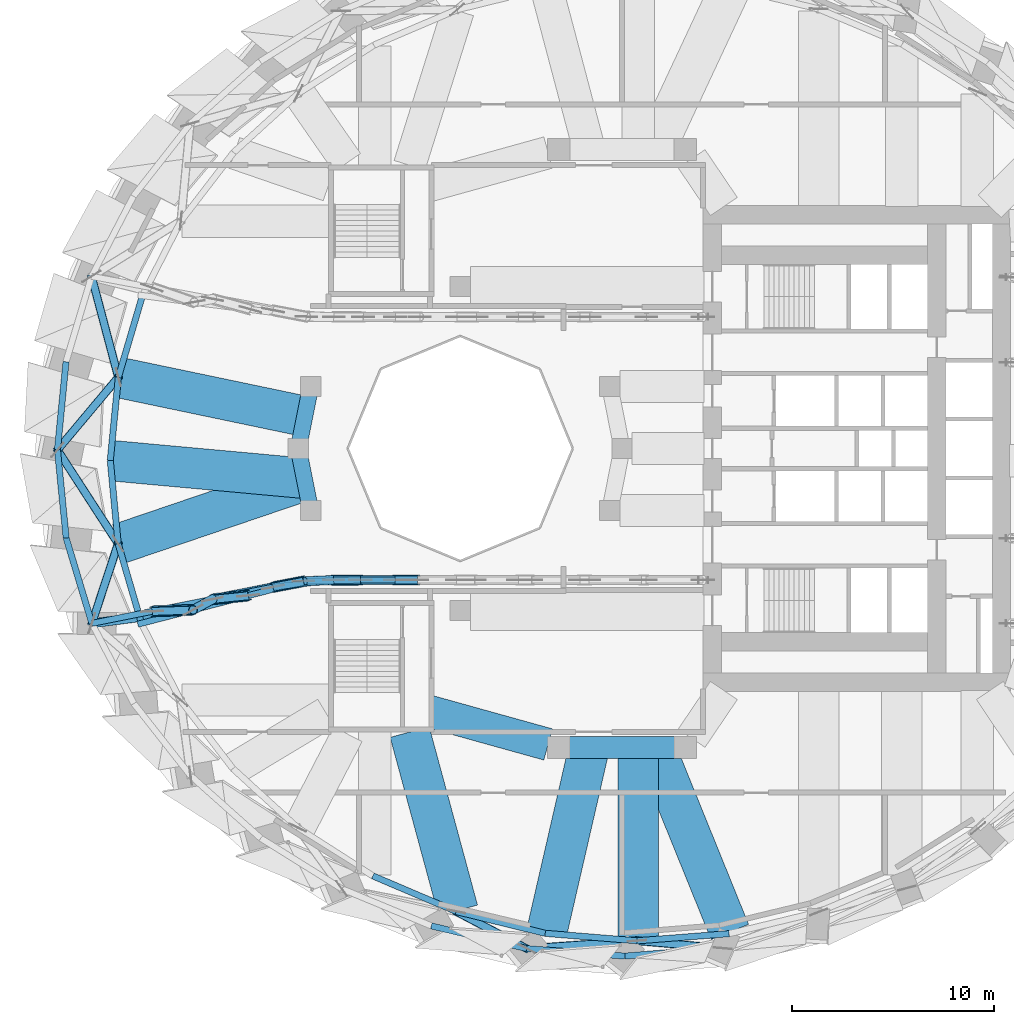
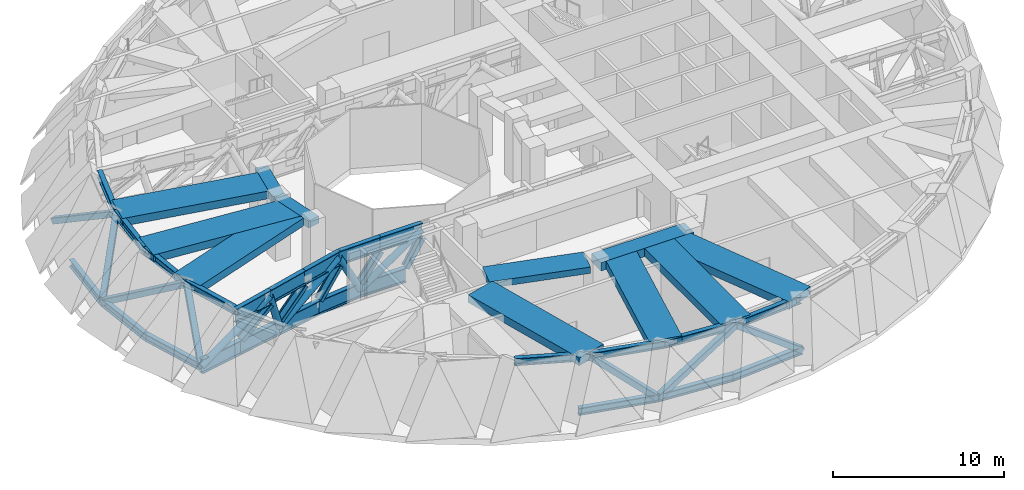
# One storey, part 2 of 15: 41 members, 11 beams.
"""IFC4 building model written with IfcOpenShell, lengths in metres."""

from ifc_helpers import new_model, si_unit, direction, frame, origin, origin_2d, place, context, subcontext, project, spatial, rectangle, hollow_rectangle, hollow_circle, i_section, extrude, material, material_profile, profile_set, type_object, element, save


model = new_model("IFC4")

# Units and contexts
model_context = context("Model", 3, precision=1e-05, world=origin(), true_north=direction((0.0, 1.0)))
body_context = subcontext(model_context, "Body", "Model", "MODEL_VIEW")
ifc_project = project(units=[si_unit("LENGTHUNIT", "METRE"), si_unit("AREAUNIT", "SQUARE_METRE"), si_unit("VOLUMEUNIT", "CUBIC_METRE"), si_unit("PLANEANGLEUNIT", "RADIAN"), si_unit("MASSUNIT", "GRAM", prefix="KILO")], contexts=[model_context])

# Site, building, storey
site_placement = place(None, origin())
site = spatial("IfcSite", under=ifc_project, at=site_placement, CompositionType="ELEMENT")
building_placement = place(site_placement, origin())
building = spatial("IfcBuilding", under=site, at=building_placement, Name="Taillehof Tower", CompositionType="ELEMENT")
storey_placement = place(building_placement, frame((0.0, 0.0, 84.39990234375)))
storey = spatial("IfcBuildingStorey", under=building, at=storey_placement, Name="L23", CompositionType="ELEMENT", Elevation=84.39990234375)

# Beams
ifc_material_1 = material(Name="Concrete C50/60", Category="concrete")
ifc_material_profile_1 = material_profile(ifc_material_1, rectangle(XDim=0.800048828125, YDim=0.5, at=origin_2d()), Name="RC 800x500")
ifc_profile_set_1 = profile_set([ifc_material_profile_1], Name="Concrete C50/60")
beam_type_1 = type_object("IfcBeamType", Name="Atrium ring beam C50/60 800x500", PredefinedType="BEAM", material=ifc_profile_set_1)
for number, where, z_axis, x_axis, name in (
    (1, (-15.39111328125, 3.0615234375, 3.97021484375), (-0.195063155143, -0.980790683839, 0.0), (0.980790683839, -0.195063155143, 0.0), "Atrium ring beam AB04"),
    (2, (-16.0, 0.0, 3.97021484375), (0.195063155143, -0.980790683839, 0.0), (0.980790683839, 0.195063155143, 0.0), "Atrium ring beam AB05"),
):
    element("IfcBeam", number, at=place(storey_placement, frame(where, z_axis=z_axis, x_axis=x_axis)), inside=storey, type_object=beam_type_1, Name=name, PredefinedType="BEAM", context=body_context, shape_type="SweptSolid", body=[
        extrude(rectangle(XDim=0.800048828125, YDim=0.5, at=origin_2d()), origin(), (0.0, 0.0, 1.0), 3.12158203125),
    ])

# Members
ifc_material_2 = material(Name="Steel S460M", Category="steel")
ifc_material_profile_2 = material_profile(ifc_material_2, i_section(OverallWidth=0.305908203125, OverallDepth=0.52392578125, WebThickness=0.02099609375, FlangeThickness=0.0400390625, FilletRadius=0.027099609375, at=origin_2d()), Name="HEM 500")
ifc_profile_set_2 = profile_set([ifc_material_profile_2], Name="Steel S460M")
member_type_1 = type_object("IfcMemberType", Name="Belt truss chord HEM 500", PredefinedType="CHORD", material=ifc_profile_set_2)
member_1_placement = place(storey_placement, frame((-23.717041015625, 7.50390625, 3.9580078125), z_axis=(-0.283005950642, -0.959118153254, 0.0), x_axis=(0.959118153254, -0.283005950642, 0.0)))
element("IfcMember", 3, at=member_1_placement, inside=storey, type_object=member_type_1, Name="Belt truss top chord BT17", PredefinedType="CHORD", context=body_context, shape_type="SweptSolid", body=[
    extrude(i_section(OverallWidth=0.305908203125, OverallDepth=0.52392578125, WebThickness=0.02099609375, FlangeThickness=0.0400390625, FilletRadius=0.027099609375, at=origin_2d()), origin(), (0.0, 0.0, 1.0), 4.155517578125),
])
member_2_placement = place(storey_placement, frame((-27.479248046875, 4.283447265625, 0.900146484375), z_axis=(-0.096684560155, -0.995315073646, 0.0), x_axis=(0.995315073646, -0.096684560155, 0.0)))
element("IfcMember", 4, at=member_2_placement, inside=storey, type_object=member_type_1, Name="Belt truss bottom chord BB18", PredefinedType="CHORD", context=body_context, shape_type="SweptSolid", body=[
    extrude(i_section(OverallWidth=0.305908203125, OverallDepth=0.52392578125, WebThickness=0.02099609375, FlangeThickness=0.0400390625, FilletRadius=0.027099609375, at=origin_2d()), origin(), (0.0, 0.0, 1.0), 4.37353515625),
])
member_3_placement = place(storey_placement, frame((-24.89306640625, 3.518310546875, 3.9580078125), z_axis=(-0.096669981035, -0.995316489749, 0.0), x_axis=(0.995316489749, -0.096669981035, 0.0)))
element("IfcMember", 5, at=member_3_placement, inside=storey, type_object=member_type_1, Name="Belt truss top chord BT18", PredefinedType="CHORD", context=body_context, shape_type="SweptSolid", body=[
    extrude(i_section(OverallWidth=0.305908203125, OverallDepth=0.52392578125, WebThickness=0.02099609375, FlangeThickness=0.0400390625, FilletRadius=0.027099609375, at=origin_2d()), origin(), (0.0, 0.0, 1.0), 4.129150390625),
])
member_4_placement = place(storey_placement, frame((-27.902099609375, -0.069580078125, 0.900146484375), z_axis=(0.098453720491, -0.995141630584, 0.0), x_axis=(0.995141630584, 0.098453720491, 0.0)))
element("IfcMember", 6, at=member_4_placement, inside=storey, type_object=member_type_1, Name="Belt truss bottom chord BB19", PredefinedType="CHORD", context=body_context, shape_type="SweptSolid", body=[
    extrude(i_section(OverallWidth=0.305908203125, OverallDepth=0.52392578125, WebThickness=0.02099609375, FlangeThickness=0.0400390625, FilletRadius=0.027099609375, at=origin_2d()), origin(), (0.0, 0.0, 1.0), 4.374267578125),
])
member_5_placement = place(storey_placement, frame((-25.292236328125, -0.591552734375, 3.9580078125), z_axis=(0.094326270249, -0.995541337535, 0.0), x_axis=(0.995541337535, 0.094326270249, 0.0)))
element("IfcMember", 7, at=member_5_placement, inside=storey, type_object=member_type_1, Name="Belt truss top chord BT19", PredefinedType="CHORD", context=body_context, shape_type="SweptSolid", body=[
    extrude(i_section(OverallWidth=0.305908203125, OverallDepth=0.52392578125, WebThickness=0.02099609375, FlangeThickness=0.0400390625, FilletRadius=0.027099609375, at=origin_2d()), origin(), (0.0, 0.0, 1.0), 4.128173828125),
])
member_6_placement = place(storey_placement, frame((-27.471435546875, -4.422607421875, 0.900146484375), z_axis=(0.288404857215, -0.957508557839, 0.0), x_axis=(0.957508557839, 0.288404857215, 0.0)))
element("IfcMember", 8, at=member_6_placement, inside=storey, type_object=member_type_1, Name="Belt truss bottom chord BB20", PredefinedType="CHORD", context=body_context, shape_type="SweptSolid", body=[
    extrude(i_section(OverallWidth=0.305908203125, OverallDepth=0.52392578125, WebThickness=0.02099609375, FlangeThickness=0.0400390625, FilletRadius=0.027099609375, at=origin_2d()), origin(), (0.0, 0.0, 1.0), 4.406982421875),
])
member_7_placement = place(storey_placement, frame((-24.90283203125, -4.701416015625, 3.9580078125), z_axis=(0.280794428309, -0.959767934988, 0.0), x_axis=(0.959767934988, 0.280794428309, 0.0)))
element("IfcMember", 9, at=member_7_placement, inside=storey, type_object=member_type_1, Name="Belt truss top chord BT20", PredefinedType="CHORD", context=body_context, shape_type="SweptSolid", body=[
    extrude(i_section(OverallWidth=0.305908203125, OverallDepth=0.52392578125, WebThickness=0.02099609375, FlangeThickness=0.0400390625, FilletRadius=0.027099609375, at=origin_2d()), origin(), (0.0, 0.0, 1.0), 4.1533203125),
])
member_8_placement = place(storey_placement, frame((-12.3173828125, -21.11962890625, 3.9580078125), z_axis=(0.919756116518, -0.392490364375, 0.0), x_axis=(0.392490364375, 0.919756116518, 0.0)))
element("IfcMember", 10, at=member_8_placement, inside=storey, type_object=member_type_1, Name="Belt truss top chord BT25", PredefinedType="CHORD", context=body_context, shape_type="SweptSolid", body=[
    extrude(i_section(OverallWidth=0.305908203125, OverallDepth=0.52392578125, WebThickness=0.02099609375, FlangeThickness=0.0400390625, FilletRadius=0.027099609375, at=origin_2d()), origin(), (0.0, 0.0, 1.0), 4.47607421875),
])
member_9_placement = place(storey_placement, frame((-9.427734375, -23.5908203125, 0.900146484375), z_axis=(0.972844076285, -0.231461450868, 0.0), x_axis=(0.231461450868, 0.972844076285, 0.0)))
element("IfcMember", 11, at=member_9_placement, inside=storey, type_object=member_type_1, Name="Belt truss bottom chord BB26", PredefinedType="CHORD", context=body_context, shape_type="SweptSolid", body=[
    extrude(i_section(OverallWidth=0.305908203125, OverallDepth=0.52392578125, WebThickness=0.02099609375, FlangeThickness=0.0400390625, FilletRadius=0.027099609375, at=origin_2d()), origin(), (0.0, 0.0, 1.0), 4.841552734375),
])
member_10_placement = place(storey_placement, frame((-8.200439453125, -22.87646484375, 3.9580078125), z_axis=(0.97106800288, -0.238803127666, 0.0), x_axis=(0.238803127666, 0.97106800288, 0.0)))
element("IfcMember", 12, at=member_10_placement, inside=storey, type_object=member_type_1, Name="Belt truss top chord BT26", PredefinedType="CHORD", context=body_context, shape_type="SweptSolid", body=[
    extrude(i_section(OverallWidth=0.305908203125, OverallDepth=0.52392578125, WebThickness=0.02099609375, FlangeThickness=0.0400390625, FilletRadius=0.027099609375, at=origin_2d()), origin(), (0.0, 0.0, 1.0), 4.52685546875),
])
member_11_placement = place(storey_placement, frame((-4.7177734375, -24.71142578125, 0.900146484375), z_axis=(0.997071287324, -0.076477761431, 0.0), x_axis=(0.076477761431, 0.997071287324, 0.0)))
element("IfcMember", 13, at=member_11_placement, inside=storey, type_object=member_type_1, Name="Belt truss bottom chord BB27", PredefinedType="CHORD", context=body_context, shape_type="SweptSolid", body=[
    extrude(i_section(OverallWidth=0.305908203125, OverallDepth=0.52392578125, WebThickness=0.02099609375, FlangeThickness=0.0400390625, FilletRadius=0.027099609375, at=origin_2d()), origin(), (0.0, 0.0, 1.0), 4.864990234375),
])
member_12_placement = place(storey_placement, frame((-3.804443359375, -23.95751953125, 3.9580078125), z_axis=(0.996687629636, -0.081325081799, 0.0), x_axis=(0.081325081799, 0.996687629636, 0.0)))
element("IfcMember", 14, at=member_12_placement, inside=storey, type_object=member_type_1, Name="Belt truss top chord BT27", PredefinedType="CHORD", context=body_context, shape_type="SweptSolid", body=[
    extrude(i_section(OverallWidth=0.305908203125, OverallDepth=0.52392578125, WebThickness=0.02099609375, FlangeThickness=0.0400390625, FilletRadius=0.027099609375, at=origin_2d()), origin(), (0.0, 0.0, 1.0), 4.55712890625),
])
member_13_placement = place(storey_placement, frame((0.133056640625, -25.08349609375, 0.900146484375), z_axis=(0.996845236508, 0.079369858581, 0.0), x_axis=(-0.079369858581, 0.996845236508, 0.0)))
element("IfcMember", 15, at=member_13_placement, inside=storey, type_object=member_type_1, Name="Belt truss bottom chord BB28", PredefinedType="CHORD", context=body_context, shape_type="SweptSolid", body=[
    extrude(i_section(OverallWidth=0.305908203125, OverallDepth=0.52392578125, WebThickness=0.02099609375, FlangeThickness=0.0400390625, FilletRadius=0.027099609375, at=origin_2d()), origin(), (0.0, 0.0, 1.0), 4.860107421875),
])
member_14_placement = place(storey_placement, frame((0.737548828125, -24.328125, 3.9580078125), z_axis=(0.996995347003, 0.077461461741, 0.0), x_axis=(-0.077461461741, 0.996995347003, 0.0)))
element("IfcMember", 16, at=member_14_placement, inside=storey, type_object=member_type_1, Name="Belt truss top chord BT28", PredefinedType="CHORD", context=body_context, shape_type="SweptSolid", body=[
    extrude(i_section(OverallWidth=0.305908203125, OverallDepth=0.52392578125, WebThickness=0.02099609375, FlangeThickness=0.0400390625, FilletRadius=0.027099609375, at=origin_2d()), origin(), (0.0, 0.0, 1.0), 4.563720703125),
])
ifc_material_3 = material(Name="Steel S460M", Category="steel")
ifc_material_profile_3 = material_profile(ifc_material_3, hollow_rectangle(XDim=0.39990234375, YDim=0.39990234375, WallThickness=0.02001953125, InnerFilletRadius=0.02001953125, OuterFilletRadius=0.030029296875, at=origin_2d()), Name="RHS 400x400x20")
ifc_profile_set_3 = profile_set([ifc_material_profile_3], Name="Steel S460M")
member_type_2 = type_object("IfcMemberType", Name="Belt truss diagonal RHS 400x400x20", PredefinedType="BRACE", material=ifc_profile_set_3)
member_15_placement = place(storey_placement, frame((-26.2158203125, 8.503662109375, 0.900146484375), z_axis=(0.220600201448, -0.831424162709, 0.509970011652), x_axis=(0.966556290161, 0.256454553383, 0.0)))
element("IfcMember", 17, at=member_15_placement, inside=storey, type_object=member_type_2, Name="Belt truss diagonal BX17", PredefinedType="BRACE", context=body_context, shape_type="SweptSolid", body=[
    extrude(hollow_rectangle(XDim=0.39990234375, YDim=0.39990234375, WallThickness=0.02001953125, InnerFilletRadius=0.02001953125, OuterFilletRadius=0.030029296875, at=origin_2d()), origin(), (0.0, 0.0, 1.0), 5.99609375),
])
member_16_placement = place(storey_placement, frame((-24.89306640625, 3.518310546875, 3.9580078125), z_axis=(-0.538033338913, -0.641536547559, -0.546764103033), x_axis=(0.766208932543, -0.642591527871, 0.0)))
element("IfcMember", 18, at=member_16_placement, inside=storey, type_object=member_type_2, Name="Belt truss diagonal BX18", PredefinedType="BRACE", context=body_context, shape_type="SweptSolid", body=[
    extrude(hollow_rectangle(XDim=0.39990234375, YDim=0.39990234375, WallThickness=0.02001953125, InnerFilletRadius=0.02001953125, OuterFilletRadius=0.030029296875, at=origin_2d()), origin(), (0.0, 0.0, 1.0), 5.5927734375),
])
member_17_placement = place(storey_placement, frame((-27.902099609375, -0.069580078125, 0.900146484375), z_axis=(0.475415716399, -0.734195113678, 0.484703447123), x_axis=(0.839388495888, 0.543531924519, 0.0)))
element("IfcMember", 19, at=member_17_placement, inside=storey, type_object=member_type_2, Name="Belt truss diagonal BX19", PredefinedType="BRACE", context=body_context, shape_type="SweptSolid", body=[
    extrude(hollow_rectangle(XDim=0.39990234375, YDim=0.39990234375, WallThickness=0.02001953125, InnerFilletRadius=0.02001953125, OuterFilletRadius=0.030029296875, at=origin_2d()), origin(), (0.0, 0.0, 1.0), 6.308837890625),
])
member_18_placement = place(storey_placement, frame((-24.90283203125, -4.701416015625, 3.9580078125), z_axis=(-0.251760332985, -0.764612473198, -0.593282816677), x_axis=(0.949836121957, -0.312748047838, 0.0)))
element("IfcMember", 20, at=member_18_placement, inside=storey, type_object=member_type_2, Name="Belt truss diagonal BX20", PredefinedType="BRACE", context=body_context, shape_type="SweptSolid", body=[
    extrude(hollow_rectangle(XDim=0.39990234375, YDim=0.39990234375, WallThickness=0.02001953125, InnerFilletRadius=0.02001953125, OuterFilletRadius=0.030029296875, at=origin_2d()), origin(), (0.0, 0.0, 1.0), 5.154052734375),
])
member_19_placement = place(storey_placement, frame((-8.200439453125, -22.87646484375, 3.9580078125), z_axis=(0.698680612558, -0.368123623132, -0.613457740784), x_axis=(0.466140030198, 0.884710954068, 0.0)))
element("IfcMember", 21, at=member_19_placement, inside=storey, type_object=member_type_2, Name="Belt truss diagonal BX26", PredefinedType="BRACE", context=body_context, shape_type="SweptSolid", body=[
    extrude(hollow_rectangle(XDim=0.39990234375, YDim=0.39990234375, WallThickness=0.02001953125, InnerFilletRadius=0.02001953125, OuterFilletRadius=0.030029296875, at=origin_2d()), origin(), (0.0, 0.0, 1.0), 4.984619140625),
])
member_20_placement = place(storey_placement, frame((-4.7177734375, -24.71142578125, 0.900146484375), z_axis=(0.87067576497, 0.061175249541, 0.488038216883), x_axis=(-0.07008901158, 0.997540741251, 0.0)))
element("IfcMember", 22, at=member_20_placement, inside=storey, type_object=member_type_2, Name="Belt truss diagonal BX27", PredefinedType="BRACE", context=body_context, shape_type="SweptSolid", body=[
    extrude(hollow_rectangle(XDim=0.39990234375, YDim=0.39990234375, WallThickness=0.02001953125, InnerFilletRadius=0.02001953125, OuterFilletRadius=0.030029296875, at=origin_2d()), origin(), (0.0, 0.0, 1.0), 6.265625),
])
member_21_placement = place(storey_placement, frame((0.737548828125, -24.328125, 3.9580078125), z_axis=(0.809070546418, -0.070528144132, -0.583464336359), x_axis=(0.086842479956, 0.996222055405, 0.0)))
element("IfcMember", 23, at=member_21_placement, inside=storey, type_object=member_type_2, Name="Belt truss diagonal BX28", PredefinedType="BRACE", context=body_context, shape_type="SweptSolid", body=[
    extrude(hollow_rectangle(XDim=0.39990234375, YDim=0.39990234375, WallThickness=0.02001953125, InnerFilletRadius=0.02001953125, OuterFilletRadius=0.030029296875, at=origin_2d()), origin(), (0.0, 0.0, 1.0), 5.240966796875),
])

# Beam
ifc_material_4 = material(Name="Concrete C50/60", Category="concrete")
ifc_material_profile_4 = material_profile(ifc_material_4, rectangle(XDim=1.10009765625, YDim=0.60009765625, at=origin_2d()), Name="RC 1100x600")
ifc_profile_set_4 = profile_set([ifc_material_profile_4], Name="Concrete C50/60")
beam_type_2 = type_object("IfcBeamType", Name="Mid-ring beam C50/60 1100x600", PredefinedType="BEAM", material=ifc_profile_set_4)
beam_1_placement = place(storey_placement, frame((-3.125732421875, -14.772216796875, 3.920166015625), z_axis=(1.0, 0.0, 0.0), x_axis=(0.0, 1.0, 0.0)))
element("IfcBeam", 24, at=beam_1_placement, inside=storey, type_object=beam_type_2, Name="Mid-ring beam MB02", PredefinedType="BEAM", context=body_context, shape_type="SweptSolid", body=[
    extrude(rectangle(XDim=1.10009765625, YDim=0.60009765625, at=origin_2d()), origin(), (0.0, 0.0, 1.0), 6.25146484375),
])

# Members
ifc_material_5 = material(Name="Steel S460M", Category="steel")
ifc_material_profile_5 = material_profile(ifc_material_5, i_section(OverallWidth=0.302001953125, OverallDepth=1.008056640625, WebThickness=0.02099609375, FlangeThickness=0.0400390625, FilletRadius=0.030029296875, at=origin_2d()), Name="HEM 1000")
ifc_profile_set_5 = profile_set([ifc_material_profile_5], Name="Steel S460M")
member_type_3 = type_object("IfcMemberType", Name="Outrigger chord HEM 1000", PredefinedType="CHORD", material=ifc_profile_set_5)
member_22_placement = place(storey_placement, frame((-11.206298828125, -6.5, 0.900146484375), z_axis=(-1.0, 0.0, 0.0), x_axis=(0.0, -1.0, 0.0)))
element("IfcMember", 25, at=member_22_placement, inside=storey, type_object=member_type_3, Name="Outrigger OT6 bottom chord 06", PredefinedType="CHORD", context=body_context, shape_type="SweptSolid", body=[
    extrude(i_section(OverallWidth=0.302001953125, OverallDepth=1.008056640625, WebThickness=0.02099609375, FlangeThickness=0.0400390625, FilletRadius=0.030029296875, at=origin_2d()), origin(), (0.0, 0.0, 1.0), 3.041259765625),
])
member_23_placement = place(storey_placement, frame((-10.10498046875, -6.5, 3.716064453125), z_axis=(-1.0, 0.0, 0.0), x_axis=(0.0, -1.0, 0.0)))
element("IfcMember", 26, at=member_23_placement, inside=storey, type_object=member_type_3, Name="Outrigger OT6 top chord 06", PredefinedType="CHORD", context=body_context, shape_type="SweptSolid", body=[
    extrude(i_section(OverallWidth=0.302001953125, OverallDepth=1.008056640625, WebThickness=0.02099609375, FlangeThickness=0.0400390625, FilletRadius=0.030029296875, at=origin_2d()), origin(), (0.0, 0.0, 1.0), 2.82080078125),
])
member_24_placement = place(storey_placement, frame((-14.24755859375, -6.5, 0.900146484375), z_axis=(-0.993251530039, -0.11598016242, 0.0), x_axis=(0.11598016242, -0.993251530039, 0.0)))
element("IfcMember", 27, at=member_24_placement, inside=storey, type_object=member_type_3, Name="Outrigger OT6 bottom chord 07", PredefinedType="CHORD", context=body_context, shape_type="SweptSolid", body=[
    extrude(i_section(OverallWidth=0.302001953125, OverallDepth=1.008056640625, WebThickness=0.02099609375, FlangeThickness=0.0400390625, FilletRadius=0.030029296875, at=origin_2d()), origin(), (0.0, 0.0, 1.0), 3.027099609375),
])
member_25_placement = place(storey_placement, frame((-12.92578125, -6.5, 3.716064453125), z_axis=(-0.999757144421, -0.022037517546, 0.0), x_axis=(0.022037517546, -0.999757144421, 0.0)))
element("IfcMember", 28, at=member_25_placement, inside=storey, type_object=member_type_3, Name="Outrigger OT6 top chord 07", PredefinedType="CHORD", context=body_context, shape_type="SweptSolid", body=[
    extrude(i_section(OverallWidth=0.302001953125, OverallDepth=1.008056640625, WebThickness=0.02099609375, FlangeThickness=0.0400390625, FilletRadius=0.030029296875, at=origin_2d()), origin(), (0.0, 0.0, 1.0), 2.81396484375),
])
member_26_placement = place(storey_placement, frame((-17.254150390625, -6.85107421875, 0.900146484375), z_axis=(-0.980531241939, -0.196363142114, 0.0), x_axis=(0.196363142114, -0.980531241939, 0.0)))
element("IfcMember", 29, at=member_26_placement, inside=storey, type_object=member_type_3, Name="Outrigger OT6 bottom chord 08", PredefinedType="CHORD", context=body_context, shape_type="SweptSolid", body=[
    extrude(i_section(OverallWidth=0.302001953125, OverallDepth=1.008056640625, WebThickness=0.02099609375, FlangeThickness=0.0400390625, FilletRadius=0.030029296875, at=origin_2d()), origin(), (0.0, 0.0, 1.0), 3.041259765625),
])
member_27_placement = place(storey_placement, frame((-15.739013671875, -6.56201171875, 3.716064453125), z_axis=(-0.968056054191, -0.250733874742, 0.0), x_axis=(0.250733874742, -0.968056054191, 0.0)))
element("IfcMember", 30, at=member_27_placement, inside=storey, type_object=member_type_3, Name="Outrigger OT6 top chord 08", PredefinedType="CHORD", context=body_context, shape_type="SweptSolid", body=[
    extrude(i_section(OverallWidth=0.302001953125, OverallDepth=1.008056640625, WebThickness=0.02099609375, FlangeThickness=0.0400390625, FilletRadius=0.030029296875, at=origin_2d()), origin(), (0.0, 0.0, 1.0), 2.82080078125),
])
member_28_placement = place(storey_placement, frame((-20.236083984375, -7.4482421875, 0.900146484375), z_axis=(-0.980534337022, -0.196347686316, 0.0), x_axis=(0.196347686316, -0.980534337022, 0.0)))
element("IfcMember", 31, at=member_28_placement, inside=storey, type_object=member_type_3, Name="Outrigger OT6 bottom chord 09", PredefinedType="CHORD", context=body_context, shape_type="SweptSolid", body=[
    extrude(i_section(OverallWidth=0.302001953125, OverallDepth=1.008056640625, WebThickness=0.02099609375, FlangeThickness=0.0400390625, FilletRadius=0.030029296875, at=origin_2d()), origin(), (0.0, 0.0, 1.0), 3.041259765625),
])
member_29_placement = place(storey_placement, frame((-18.4697265625, -7.269287109375, 3.716064453125), z_axis=(-0.968040487439, -0.250793968586, 0.0), x_axis=(0.250793968586, -0.968040487439, 0.0)))
element("IfcMember", 32, at=member_29_placement, inside=storey, type_object=member_type_3, Name="Outrigger OT6 top chord 09", PredefinedType="CHORD", context=body_context, shape_type="SweptSolid", body=[
    extrude(i_section(OverallWidth=0.302001953125, OverallDepth=1.008056640625, WebThickness=0.02099609375, FlangeThickness=0.0400390625, FilletRadius=0.030029296875, at=origin_2d()), origin(), (0.0, 0.0, 1.0), 2.821044921875),
])
member_30_placement = place(storey_placement, frame((-23.21826171875, -8.04541015625, 0.900146484375), z_axis=(-0.980549788833, -0.196270506238, 0.0), x_axis=(0.196270506238, -0.980549788833, 0.0)))
element("IfcMember", 33, at=member_30_placement, inside=storey, type_object=member_type_3, Name="Outrigger OT6 bottom chord 10", PredefinedType="CHORD", context=body_context, shape_type="SweptSolid", body=[
    extrude(i_section(OverallWidth=0.302001953125, OverallDepth=1.008056640625, WebThickness=0.02099609375, FlangeThickness=0.0400390625, FilletRadius=0.030029296875, at=origin_2d()), origin(), (0.0, 0.0, 1.0), 3.041259765625),
])
member_31_placement = place(storey_placement, frame((-21.20068359375, -7.976806640625, 3.716064453125), z_axis=(-0.968056054191, -0.250733874742, 0.0), x_axis=(0.250733874742, -0.968056054191, 0.0)))
element("IfcMember", 34, at=member_31_placement, inside=storey, type_object=member_type_3, Name="Outrigger OT6 top chord 10", PredefinedType="CHORD", context=body_context, shape_type="SweptSolid", body=[
    extrude(i_section(OverallWidth=0.302001953125, OverallDepth=1.008056640625, WebThickness=0.02099609375, FlangeThickness=0.0400390625, FilletRadius=0.030029296875, at=origin_2d()), origin(), (0.0, 0.0, 1.0), 2.82080078125),
])
ifc_material_6 = material(Name="Steel S460M", Category="steel")
ifc_material_profile_6 = material_profile(ifc_material_6, hollow_circle(Radius=0.228515625, WallThickness=0.02490234375, at=origin_2d()), Name="CHS 457x25")
ifc_profile_set_6 = profile_set([ifc_material_profile_6], Name="Steel S460M")
member_type_4 = type_object("IfcMemberType", Name="Outrigger diagonal CHS 457x25", PredefinedType="BRACE", material=ifc_profile_set_6)
member_32_placement = place(storey_placement, frame((-10.10498046875, -6.5, 3.716064453125), z_axis=(-0.827022583781, 0.0, -0.562168698805), x_axis=(0.0, -1.0, 0.0)))
element("IfcMember", 35, at=member_32_placement, inside=storey, type_object=member_type_4, Name="Outrigger OT6 diagonal 06", PredefinedType="BRACE", context=body_context, shape_type="SweptSolid", body=[
    extrude(hollow_circle(Radius=0.228515625, WallThickness=0.02490234375, at=origin_2d()), origin(), (0.0, 0.0, 1.0), 5.009033203125),
])
member_33_placement = place(storey_placement, frame((-14.24755859375, -6.5, 0.900146484375), z_axis=(-0.467964558254, -0.01945703025, 0.883533019299), x_axis=(0.041542107633, -0.99913675405, 0.0)))
element("IfcMember", 36, at=member_33_placement, inside=storey, type_object=member_type_4, Name="Outrigger OT6 diagonal 07", PredefinedType="BRACE", context=body_context, shape_type="SweptSolid", body=[
    extrude(hollow_circle(Radius=0.228515625, WallThickness=0.02490234375, at=origin_2d()), origin(), (0.0, 0.0, 1.0), 3.18701171875),
])
member_34_placement = place(storey_placement, frame((-15.739013671875, -6.56201171875, 3.716064453125), z_axis=(-0.835972750261, -0.164743815605, -0.523458724295), x_axis=(0.193349704533, -0.981129905648, 0.0)))
element("IfcMember", 37, at=member_34_placement, inside=storey, type_object=member_type_4, Name="Outrigger OT6 diagonal 08", PredefinedType="BRACE", context=body_context, shape_type="SweptSolid", body=[
    extrude(hollow_circle(Radius=0.228515625, WallThickness=0.02490234375, at=origin_2d()), origin(), (0.0, 0.0, 1.0), 5.37939453125),
])
member_35_placement = place(storey_placement, frame((-20.236083984375, -7.4482421875, 0.900146484375), z_axis=(-0.319074688828, -0.1748409773, 0.931462278144), x_axis=(0.480546344215, -0.876969333022, 0.0)))
element("IfcMember", 38, at=member_35_placement, inside=storey, type_object=member_type_4, Name="Outrigger OT6 diagonal 09", PredefinedType="BRACE", context=body_context, shape_type="SweptSolid", body=[
    extrude(hollow_circle(Radius=0.228515625, WallThickness=0.02490234375, at=origin_2d()), origin(), (0.0, 0.0, 1.0), 3.023193359375),
])
member_36_placement = place(storey_placement, frame((-21.20068359375, -7.976806640625, 3.716064453125), z_axis=(-0.865508784467, -0.115209577931, -0.487464149619), x_axis=(0.131948120296, -0.991256623458, 0.0)))
element("IfcMember", 39, at=member_36_placement, inside=storey, type_object=member_type_4, Name="Outrigger OT6 diagonal 10", PredefinedType="BRACE", context=body_context, shape_type="SweptSolid", body=[
    extrude(hollow_circle(Radius=0.228515625, WallThickness=0.02490234375, at=origin_2d()), origin(), (0.0, 0.0, 1.0), 5.776611328125),
])
ifc_material_7 = material(Name="Steel S460M", Category="steel")
ifc_material_profile_7 = material_profile(ifc_material_7, i_section(OverallWidth=0.300048828125, OverallDepth=0.5, WebThickness=0.014404296875, FlangeThickness=0.028076171875, FilletRadius=0.027099609375, at=origin_2d()), Name="HEB 500")
ifc_profile_set_7 = profile_set([ifc_material_profile_7], Name="Steel S460M")
member_type_5 = type_object("IfcMemberType", Name="Outrigger post HEB 500", PredefinedType="POST", material=ifc_profile_set_7)
member_37_placement = place(storey_placement, frame((-11.206298828125, -6.5, 1.404052734375), z_axis=(0.520199351247, 0.0, 0.854044867066), x_axis=(-0.854044867066, 0.0, 0.520199351247)))
element("IfcMember", 40, at=member_37_placement, inside=storey, type_object=member_type_5, Name="Outrigger OT6 post 06", PredefinedType="POST", context=body_context, shape_type="SweptSolid", body=[
    extrude(i_section(OverallWidth=0.300048828125, OverallDepth=0.5, WebThickness=0.014404296875, FlangeThickness=0.028076171875, FilletRadius=0.027099609375, at=origin_2d()), origin(), (0.0, 0.0, 1.0), 2.1171875),
])
member_38_placement = place(storey_placement, frame((-14.24755859375, -6.5, 1.404052734375), z_axis=(0.590153231363, 0.0, 0.807291250734), x_axis=(-0.805933516184, -0.057972847108, 0.589160688174)))
element("IfcMember", 41, at=member_38_placement, inside=storey, type_object=member_type_5, Name="Outrigger OT6 post 07", PredefinedType="POST", context=body_context, shape_type="SweptSolid", body=[
    extrude(i_section(OverallWidth=0.300048828125, OverallDepth=0.5, WebThickness=0.014404296875, FlangeThickness=0.028076171875, FilletRadius=0.027099609375, at=origin_2d()), origin(), (0.0, 0.0, 1.0), 2.23974609375),
])
member_39_placement = place(storey_placement, frame((-17.254150390625, -6.85107421875, 1.404052734375), z_axis=(0.637510723626, 0.121626280498, 0.760780602509), x_axis=(-0.708796802344, -0.294443533031, 0.641022697604)))
element("IfcMember", 42, at=member_39_placement, inside=storey, type_object=member_type_5, Name="Outrigger OT6 post 08", PredefinedType="POST", context=body_context, shape_type="SweptSolid", body=[
    extrude(i_section(OverallWidth=0.300048828125, OverallDepth=0.5, WebThickness=0.014404296875, FlangeThickness=0.028076171875, FilletRadius=0.027099609375, at=origin_2d()), origin(), (0.0, 0.0, 1.0), 2.376708984375),
])
member_40_placement = place(storey_placement, frame((-20.236083984375, -7.4482421875, 1.404052734375), z_axis=(0.697055702442, 0.070620847255, 0.713530688637), x_axis=(-0.676293685817, -0.265841693435, 0.686989843124)))
element("IfcMember", 43, at=member_40_placement, inside=storey, type_object=member_type_5, Name="Outrigger OT6 post 09", PredefinedType="POST", context=body_context, shape_type="SweptSolid", body=[
    extrude(i_section(OverallWidth=0.300048828125, OverallDepth=0.5, WebThickness=0.014404296875, FlangeThickness=0.028076171875, FilletRadius=0.027099609375, at=origin_2d()), origin(), (0.0, 0.0, 1.0), 2.533935546875),
])
member_41_placement = place(storey_placement, frame((-23.21826171875, -8.04541015625, 1.404052734375), z_axis=(0.74446978333, 0.025314134695, 0.667176090918), x_axis=(-0.647143420642, -0.218437552927, 0.730404291191)))
element("IfcMember", 44, at=member_41_placement, inside=storey, type_object=member_type_5, Name="Outrigger OT6 post 10", PredefinedType="POST", context=body_context, shape_type="SweptSolid", body=[
    extrude(i_section(OverallWidth=0.300048828125, OverallDepth=0.5, WebThickness=0.014404296875, FlangeThickness=0.028076171875, FilletRadius=0.027099609375, at=origin_2d()), origin(), (0.0, 0.0, 1.0), 2.710205078125),
])

# Beams
ifc_material_8 = material(Name="Concrete C50/60", Category="concrete")
ifc_material_profile_8 = material_profile(ifc_material_8, rectangle(XDim=1.60009765625, YDim=0.449951171875, at=origin_2d()), Name="RC 1600x450")
ifc_profile_set_8 = profile_set([ifc_material_profile_8], Name="Concrete C50/60")
beam_type_3 = type_object("IfcBeamType", Name="Radial band beam C50/60 1600x450", PredefinedType="BEAM", material=ifc_profile_set_8)
beam_2_placement = place(storey_placement, frame((-3.655517578125, -14.624755859375, 3.9951171875), z_axis=(-0.963459369536, 0.267854518821, 0.0), x_axis=(-0.267854518821, -0.963459369536, 0.0)))
element("IfcBeam", 45, at=beam_2_placement, inside=storey, type_object=beam_type_3, Name="Inner band beam IB214", PredefinedType="BEAM", context=body_context, shape_type="SweptSolid", body=[
    extrude(rectangle(XDim=1.60009765625, YDim=0.449951171875, at=origin_2d()), origin(), (0.0, 0.0, 1.0), 6.096923828125),
])
ifc_material_9 = material(Name="Concrete C50/60", Category="concrete")
ifc_material_profile_9 = material_profile(ifc_material_9, rectangle(XDim=2.0, YDim=0.550048828125, at=origin_2d()), Name="RC 2000x550")
ifc_profile_set_9 = profile_set([ifc_material_profile_9], Name="Concrete C50/60")
beam_type_4 = type_object("IfcBeamType", Name="Radial band beam C50/60 2000x550", PredefinedType="BEAM", material=ifc_profile_set_9)
beam_3_placement = place(storey_placement, frame((-24.854248046875, 3.5068359375, 3.945068359375), z_axis=(0.978853404319, -0.204562980164, 0.0), x_axis=(0.204562980164, 0.978853404319, 0.0)))
element("IfcBeam", 46, at=beam_3_placement, inside=storey, type_object=beam_type_4, Name="Radial band beam RB18", PredefinedType="BEAM", context=body_context, shape_type="SweptSolid", body=[
    extrude(rectangle(XDim=2.0, YDim=0.550048828125, at=origin_2d()), origin(), (0.0, 0.0, 1.0), 9.36865234375),
])
beam_4_placement = place(storey_placement, frame((-25.25, -0.60009765625, 3.945068359375), z_axis=(0.995859515154, -0.090905588816, 0.0), x_axis=(0.090905588816, 0.995859515154, 0.0)))
element("IfcBeam", 47, at=beam_4_placement, inside=storey, type_object=beam_type_4, Name="Radial band beam RB19", PredefinedType="BEAM", context=body_context, shape_type="SweptSolid", body=[
    extrude(rectangle(XDim=2.0, YDim=0.550048828125, at=origin_2d()), origin(), (0.0, 0.0, 1.0), 9.58251953125),
])
beam_5_placement = place(storey_placement, frame((-24.854248046875, -4.706787109375, 3.945068359375), z_axis=(0.946822052625, 0.321757673822, 0.0), x_axis=(-0.321757673822, 0.946822052625, 0.0)))
element("IfcBeam", 48, at=beam_5_placement, inside=storey, type_object=beam_type_4, Name="Radial band beam RB20", PredefinedType="BEAM", context=body_context, shape_type="SweptSolid", body=[
    extrude(rectangle(XDim=2.0, YDim=0.550048828125, at=origin_2d()), origin(), (0.0, 0.0, 1.0), 9.685791015625),
])
beam_6_placement = place(storey_placement, frame((-8.109619140625, -22.82373046875, 3.945068359375), z_axis=(-0.261472049536, 0.965211048067, 0.0), x_axis=(-0.965211048067, -0.261472049536, 0.0)))
element("IfcBeam", 49, at=beam_6_placement, inside=storey, type_object=beam_type_4, Name="Radial band beam RB26", PredefinedType="BEAM", context=body_context, shape_type="SweptSolid", body=[
    extrude(rectangle(XDim=2.0, YDim=0.550048828125, at=origin_2d()), origin(), (0.0, 0.0, 1.0), 9.1298828125),
])
beam_7_placement = place(storey_placement, frame((-3.7236328125, -23.890625, 3.945068359375), z_axis=(0.224215346781, 0.974539623755, 0.0), x_axis=(-0.974539623755, 0.224215346781, 0.0)))
element("IfcBeam", 50, at=beam_7_placement, inside=storey, type_object=beam_type_4, Name="Radial band beam RB27", PredefinedType="BEAM", context=body_context, shape_type="SweptSolid", body=[
    extrude(rectangle(XDim=2.0, YDim=0.550048828125, at=origin_2d()), origin(), (0.0, 0.0, 1.0), 9.356689453125),
])
beam_8_placement = place(storey_placement, frame((0.800048828125, -24.25, 3.945068359375), z_axis=(0.0, 1.0, 0.0), x_axis=(-1.0, 0.0, 0.0)))
element("IfcBeam", 51, at=beam_8_placement, inside=storey, type_object=beam_type_4, Name="Radial band beam RB28", PredefinedType="BEAM", context=body_context, shape_type="SweptSolid", body=[
    extrude(rectangle(XDim=2.0, YDim=0.550048828125, at=origin_2d()), origin(), (0.0, 0.0, 1.0), 9.477783203125),
])
beam_9_placement = place(storey_placement, frame((5.323486328125, -23.890625, 3.945068359375), z_axis=(-0.375801287916, 0.926700270854, 0.0), x_axis=(-0.926700270854, -0.375801287916, 0.0)))
element("IfcBeam", 52, at=beam_9_placement, inside=storey, type_object=beam_type_4, Name="Radial band beam RB29", PredefinedType="BEAM", context=body_context, shape_type="SweptSolid", body=[
    extrude(rectangle(XDim=2.0, YDim=0.550048828125, at=origin_2d()), origin(), (0.0, 0.0, 1.0), 9.839599609375),
])

save(model, "model.ifc")
